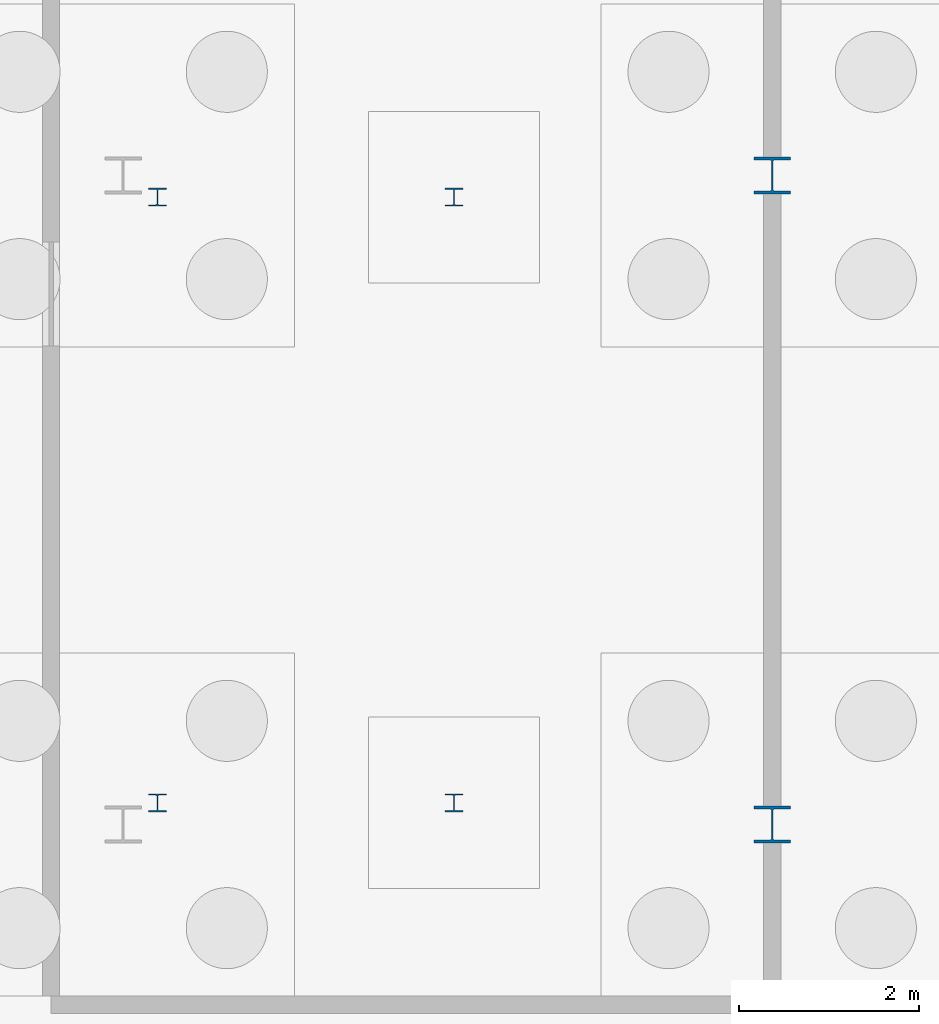
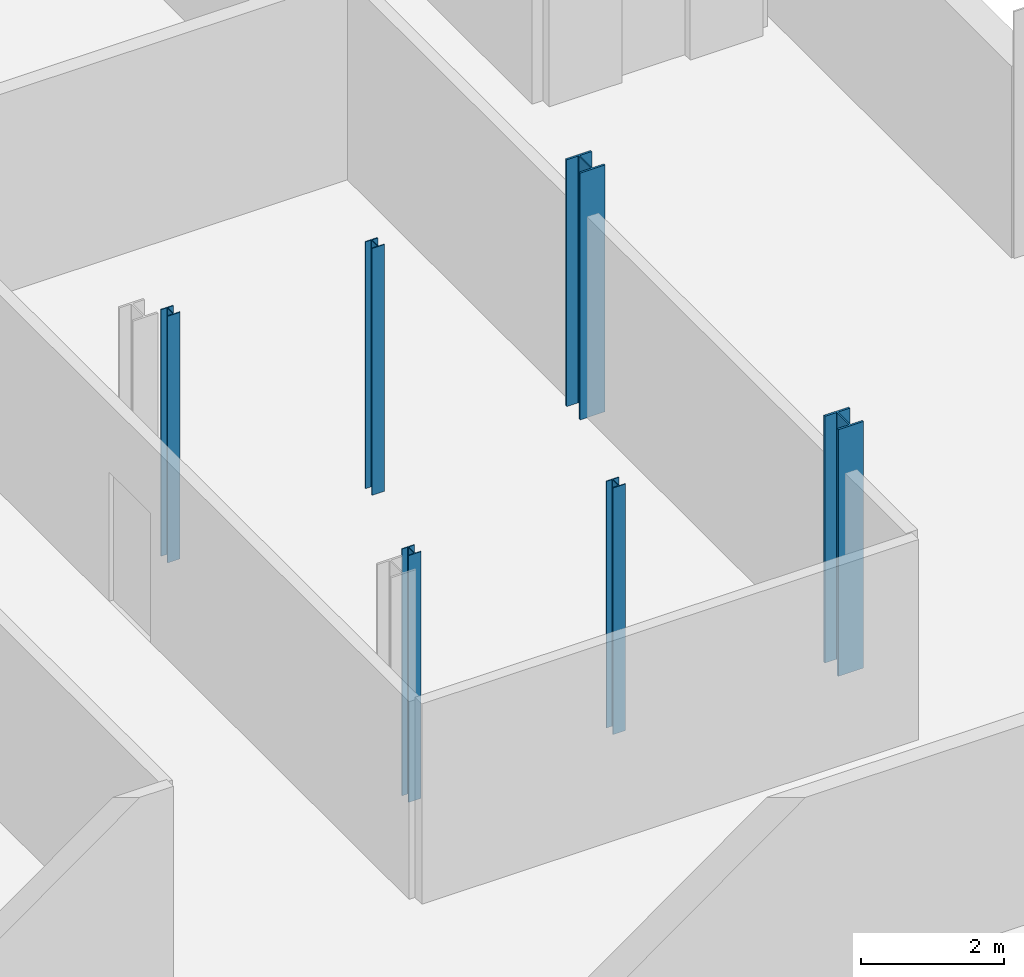
# One storey, part 20 of 50: 6 columns.
"""IFC4 building model written with IfcOpenShell, lengths in metres."""

import ifcopenshell
import ifcopenshell.guid

model = None  # the IFC model being written
_history = None  # IfcOwnerHistory: only IFC2X3 demands one
_inside = {}  # id of a spatial element -> (the spatial element, [elements in it])
_under = {}  # id of a project, library or spatial element -> (it, [spatial elements below it])
_declared = {}  # id of a project -> (the project, [libraries it declares])
_typed = {}  # id of a type object -> (the type object, [elements of that type])
_made_of = {}  # id of a material, layer set ... -> (it, [elements and type objects made of it])


def new_model(schema):
    """Start an empty IFC model of exactly this schema.

    Asked for "IFC4X3", IfcOpenShell would pick the latest addendum, in which some entities
    have other attributes; the version numbers below select the first issue.
    IFC2X3 requires an IfcOwnerHistory on every rooted entity: one is made here for all.
    """
    global model, _history
    if schema == "IFC4X3":
        model = ifcopenshell.file(schema_version=(4, 3, 0, 0))
    else:
        model = ifcopenshell.file(schema=schema)
    _inside.clear()
    _under.clear()
    _declared.clear()
    _typed.clear()
    _made_of.clear()
    _history = None
    if model.schema == "IFC2X3":
        org = make("IfcOrganization", Name="unknown")
        user = make(
            "IfcPersonAndOrganization",
            ThePerson=make("IfcPerson", FamilyName="unknown"),
            TheOrganization=org,
        )
        app = make(
            "IfcApplication",
            ApplicationDeveloper=org,
            Version="unknown",
            ApplicationFullName="unknown",
            ApplicationIdentifier="unknown",
        )
        _history = make(
            "IfcOwnerHistory",
            OwningUser=user,
            OwningApplication=app,
            ChangeAction="ADDED",
            CreationDate=0,
        )
    return model


def make(cls, **values):
    """One entity of the class cls with the attributes given. An attribute that is None is left unset."""
    return model.create_entity(
        cls, **{name: value for name, value in values.items() if value is not None}
    )


def rooted(cls, **values):
    """An entity with a GlobalId (a new one), such as an element, a storey or a relation."""
    return make(cls, GlobalId=ifcopenshell.guid.new(), OwnerHistory=_history, **values)


def si_unit(unit_type, name, prefix=None):
    """IfcSIUnit, for example si_unit("LENGTHUNIT", "METRE", prefix="MILLI")."""
    return make("IfcSIUnit", UnitType=unit_type, Prefix=prefix, Name=name)


def assignment(units):
    """IfcUnitAssignment: the units of a project."""
    return None if units is None else make("IfcUnitAssignment", Units=units)


def point(xyz):
    """IfcCartesianPoint."""
    return None if xyz is None else make("IfcCartesianPoint", Coordinates=xyz)


def direction(xyz):
    """IfcDirection."""
    return None if xyz is None else make("IfcDirection", DirectionRatios=xyz)


def frame(location, z_axis=None, x_axis=None):
    """IfcAxis2Placement3D, a coordinate frame: its origin and axes. An axis left out is left unset."""
    return make(
        "IfcAxis2Placement3D",
        Location=point(location),
        Axis=direction(z_axis),
        RefDirection=direction(x_axis),
    )


def frame_2d(location, x_axis=None):
    """IfcAxis2Placement2D, a coordinate frame in the plane: its origin and x axis."""
    return make(
        "IfcAxis2Placement2D", Location=point(location), RefDirection=direction(x_axis)
    )


def origin():
    """The frame at (0, 0, 0) with its axes left unset."""
    return frame((0.0, 0.0, 0.0))


def origin_2d():
    """The frame at (0, 0) in the plane with its x axis left unset."""
    return frame_2d((0.0, 0.0))


def place(relative_to, where):
    """IfcLocalPlacement: puts the frame where relative to a parent placement (None: the world)."""
    return make(
        "IfcLocalPlacement", PlacementRelTo=relative_to, RelativePlacement=where
    )


def context(
    kind, dimensions, precision=None, world=None, true_north=None, identifier=None
):
    """IfcGeometricRepresentationContext, for example the 3D "Model" context."""
    return make(
        "IfcGeometricRepresentationContext",
        ContextIdentifier=identifier,
        ContextType=kind,
        CoordinateSpaceDimension=dimensions,
        Precision=precision,
        WorldCoordinateSystem=world,
        TrueNorth=true_north,
    )


def subcontext(parent, identifier, kind, view, scale=None):
    """IfcGeometricRepresentationSubContext, for example "Body" below "Model"."""
    return make(
        "IfcGeometricRepresentationSubContext",
        ContextIdentifier=identifier,
        ContextType=kind,
        ParentContext=parent,
        TargetScale=scale,
        TargetView=view,
    )


def project(units=None, contexts=None):
    """IfcProject with its units and contexts."""
    return rooted(
        "IfcProject",
        Name="project",
        RepresentationContexts=contexts,
        UnitsInContext=assignment(units),
    )


def spatial(cls, under=None, at=None, **own):
    """A site, building, storey or space (cls), placed at a placement, below another one or the project."""
    s = rooted(cls, ObjectPlacement=at, **own)
    if under is not None:
        _under.setdefault(under.id(), (under, []))[1].append(s)
    return s


def profile(cls, at=None, kind="AREA", **sizes):
    """A parametric profile (cls). Its sizes go by their IFC names, for example OverallWidth=200.0."""
    return make(cls, ProfileType=kind, Position=at, **sizes)


def i_section(**sizes):
    """IfcIShapeProfileDef."""
    return profile("IfcIShapeProfileDef", **sizes)


def extrude(swept, where, along, depth):
    """IfcExtrudedAreaSolid: the profile swept, set in the frame where, extruded along a direction by depth."""
    return make(
        "IfcExtrudedAreaSolid",
        SweptArea=swept,
        Position=where,
        ExtrudedDirection=direction(along),
        Depth=depth,
    )


def shape(context_of_items, identifier, shape_type, items):
    """IfcShapeRepresentation: the items that make up one representation, for example the "Body"."""
    return make(
        "IfcShapeRepresentation",
        ContextOfItems=context_of_items,
        RepresentationIdentifier=identifier,
        RepresentationType=shape_type,
        Items=items,
    )


def material(Name=None, Category=None):
    """IfcMaterial."""
    return make("IfcMaterial", Name=Name, Category=Category)


def material_profile(
    of_material, cross_section, Name=None, Category=None, Priority=None
):
    """IfcMaterialProfile: a cross section and its material."""
    return make(
        "IfcMaterialProfile",
        Name=Name,
        Material=of_material,
        Profile=cross_section,
        Priority=Priority,
        Category=Category,
    )


def profile_set(profiles, Name=None, composite=None):
    """IfcMaterialProfileSet."""
    return make(
        "IfcMaterialProfileSet",
        Name=Name,
        MaterialProfiles=profiles,
        CompositeProfile=composite,
    )


def made_of(thing, what):
    """Note that an element or type object is made of a material, layer set ...; save() writes the relation."""
    if what is not None:
        _made_of.setdefault(what.id(), (what, []))[1].append(thing)
    return thing


def type_object(cls, material=None, **own):
    """A type object (cls), such as IfcWallType, which elements share."""
    return made_of(rooted(cls, **own), material)


def element(
    cls,
    number,
    at=None,
    inside=None,
    cuts=None,
    type_object=None,
    material=None,
    context=None,
    identifier="Body",
    shape_type=None,
    held_by="IfcProductDefinitionShape",
    body=None,
    shapes=None,
    **own,
):
    """One element of the class cls, such as IfcWall. Its Tag is "e" and its number.

    at: its placement. inside: the storey or other place that contains it. cuts: it is an
    opening in that element (IfcRelVoidsElement). A single representation is given by context,
    identifier, shape_type and body (its items); several are given by shapes. held_by: the class
    of the entity that holds the representations. save() writes the other relations.
    """
    e = rooted(cls, Tag="e%d" % number, ObjectPlacement=at, **own)
    if body is not None:
        shapes = [shape(context, identifier, shape_type, body)]
    if shapes is not None:
        e.Representation = make(held_by, Representations=shapes)
    if inside is not None:
        _inside.setdefault(inside.id(), (inside, []))[1].append(e)
    if cuts is not None:
        rooted(
            "IfcRelVoidsElement", RelatingBuildingElement=cuts, RelatedOpeningElement=e
        )
    if type_object is not None:
        _typed.setdefault(type_object.id(), (type_object, []))[1].append(e)
    return made_of(e, material)


def aggregate(whole, parts):
    """IfcRelAggregates: a whole, such as a stair, and the parts it consists of."""
    return rooted("IfcRelAggregates", RelatingObject=whole, RelatedObjects=parts)


def save(model, path):
    """Write the relations noted so far, then the file.

    IfcRelAggregates (storeys below a building ...), IfcRelContainedInSpatialStructure (elements
    in a storey), IfcRelDefinesByType, IfcRelAssociatesMaterial and IfcRelDeclares: one each for
    every whole, place, type object, material and project.
    """
    for whole, parts in _under.values():
        aggregate(whole, parts)
    for where, things in _inside.values():
        rooted(
            "IfcRelContainedInSpatialStructure",
            RelatedElements=things,
            RelatingStructure=where,
        )
    for kind, things in _typed.values():
        rooted("IfcRelDefinesByType", RelatedObjects=things, RelatingType=kind)
    for what, things in _made_of.values():
        rooted("IfcRelAssociatesMaterial", RelatedObjects=things, RelatingMaterial=what)
    for by, libraries in _declared.values():
        rooted("IfcRelDeclares", RelatingContext=by, RelatedDefinitions=libraries)
    model.write(path)


model = new_model("IFC4")

# Units and contexts
model_context = context("Model", 3, precision=1e-05, world=origin(), true_north=direction((0.0, 1.0)))
body_context = subcontext(model_context, "Body", "Model", "MODEL_VIEW")
ifc_project = project(units=[si_unit("LENGTHUNIT", "METRE"), si_unit("AREAUNIT", "SQUARE_METRE"), si_unit("VOLUMEUNIT", "CUBIC_METRE"), si_unit("PLANEANGLEUNIT", "RADIAN"), si_unit("MASSUNIT", "GRAM", prefix="KILO")], contexts=[model_context])

# Site, building, storey
site_placement = place(None, origin())
site = spatial("IfcSite", under=ifc_project, at=site_placement, CompositionType="ELEMENT")
building_placement = place(site_placement, origin())
building = spatial("IfcBuilding", under=site, at=building_placement, Name="Narikvali Park Central Library", CompositionType="ELEMENT")
storey_placement = place(building_placement, frame((0.0, 0.0, -4.199951171875)))
storey = spatial("IfcBuildingStorey", under=building, at=storey_placement, Name="B1", CompositionType="ELEMENT", Elevation=-4.199951171875)

# Columns
ifc_material = material(Name="Steel S355", Category="steel")
ifc_material_profile_1 = material_profile(ifc_material, i_section(OverallWidth=0.404052734375, OverallDepth=0.406982421875, WebThickness=0.02001953125, FlangeThickness=0.031982421875, FilletRadius=0.014892578125, at=origin_2d()), Name="HD 400x347")
ifc_profile_set_1 = profile_set([ifc_material_profile_1], Name="Steel S355")
column_type_1 = type_object("IfcColumnType", Name="Rotunda Interior Column HD400x347", PredefinedType="COLUMN", material=ifc_profile_set_1)
for number, where, z_axis, x_axis, name in (
    (1, (93.60009765625, 72.0, 0.0), (0.0, 0.0, 1.0), (1.0, 0.0, 0.0), "V1 B1 Column (93.6,72.0)"),
    (2, (93.60009765625, 79.199951171875, 0.0), (0.0, 0.0, 1.0), (1.0, 0.0, 0.0), "V1 B1 Column (93.6,79.2)"),
):
    element("IfcColumn", number, at=place(storey_placement, frame(where, z_axis=z_axis, x_axis=x_axis)), inside=storey, type_object=column_type_1, Name=name, PredefinedType="COLUMN", context=body_context, shape_type="SweptSolid", body=[
        extrude(i_section(OverallWidth=0.404052734375, OverallDepth=0.406982421875, WebThickness=0.02001953125, FlangeThickness=0.031982421875, FilletRadius=0.014892578125, at=origin_2d()), origin(), (0.0, 0.0, 1.0), 4.199951171875),
    ])
ifc_material_profile_2 = material_profile(ifc_material, i_section(OverallWidth=0.199951171875, OverallDepth=0.199951171875, WebThickness=0.009033203125, FlangeThickness=0.014892578125, FilletRadius=0.01806640625, at=origin_2d()), Name="HEB 200")
ifc_profile_set_2 = profile_set([ifc_material_profile_2], Name="Steel S355")
column_type_2 = type_object("IfcColumnType", Name="Steel Column HEB200", PredefinedType="COLUMN", material=ifc_profile_set_2)
for number, where, z_axis, x_axis, name in (
    (3, (86.780029296875, 72.239990234375, 0.0), (0.0, 0.0, 1.0), (1.0, 0.0, 0.0), "ST-13 Support Post B1 SW"),
    (4, (90.070068359375, 72.239990234375, 0.0), (0.0, 0.0, 1.0), (1.0, 0.0, 0.0), "ST-13 Support Post B1 SE"),
    (5, (86.780029296875, 78.9599609375, 0.0), (0.0, 0.0, 1.0), (1.0, 0.0, 0.0), "ST-13 Support Post B1 NW"),
    (6, (90.070068359375, 78.9599609375, 0.0), (0.0, 0.0, 1.0), (1.0, 0.0, 0.0), "ST-13 Support Post B1 NE"),
):
    element("IfcColumn", number, at=place(storey_placement, frame(where, z_axis=z_axis, x_axis=x_axis)), inside=storey, type_object=column_type_2, Name=name, PredefinedType="COLUMN", context=body_context, shape_type="SweptSolid", body=[
        extrude(i_section(OverallWidth=0.199951171875, OverallDepth=0.199951171875, WebThickness=0.009033203125, FlangeThickness=0.014892578125, FilletRadius=0.01806640625, at=origin_2d()), origin(), (0.0, 0.0, 1.0), 4.199951171875),
    ])

save(model, "model.ifc")
